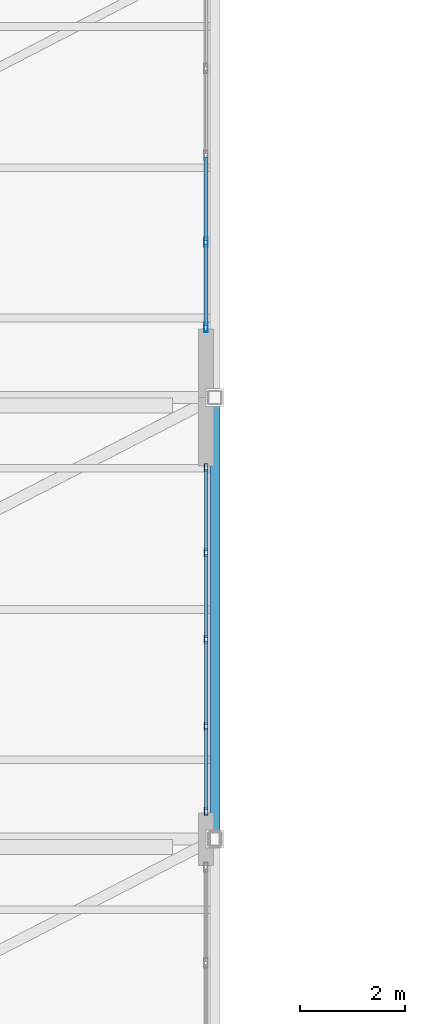
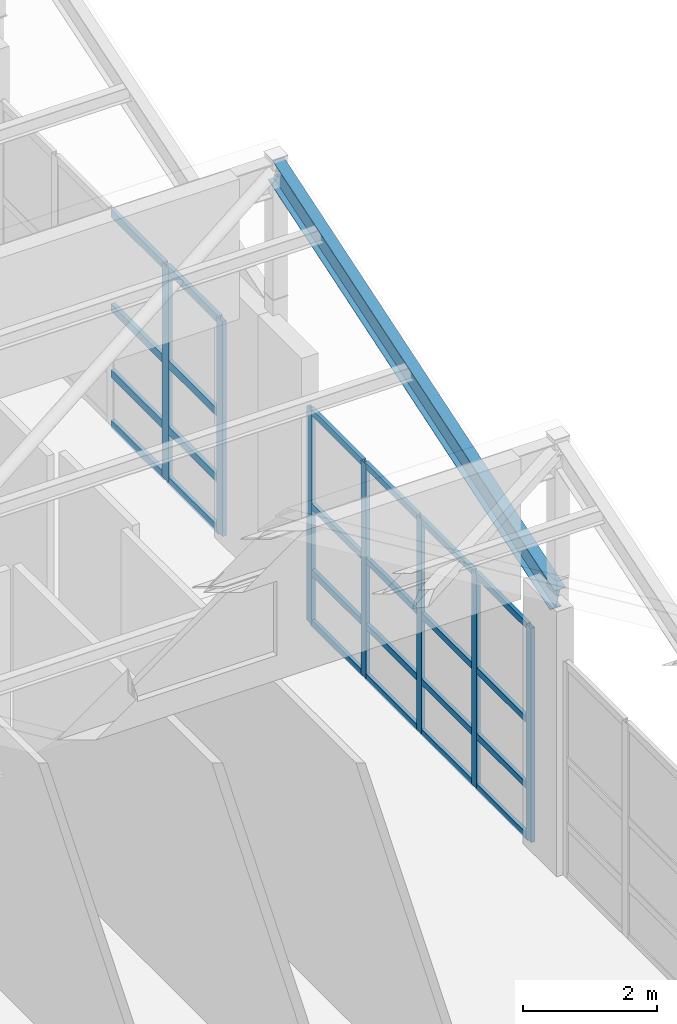
# One storey, part 12 of 34: 31 members, 1 beam, 2 elements without a shape of their own.
"""IFC4 building model written with IfcOpenShell, lengths in metres."""

from ifc_helpers import new_model, si_unit, direction, frame, origin, origin_2d, place, context, subcontext, project, spatial, hollow_rectangle, i_section, extrude, material, layer, layer_set, material_profile, profile_set, type_object, element, aggregate, save


model = new_model("IFC4")

# Units and contexts
model_context = context("Model", 3, precision=1e-05, world=origin(), true_north=direction((0.0, 1.0)))
body_context = subcontext(model_context, "Body", "Model", "MODEL_VIEW")
ifc_project = project(units=[si_unit("LENGTHUNIT", "METRE"), si_unit("AREAUNIT", "SQUARE_METRE"), si_unit("VOLUMEUNIT", "CUBIC_METRE"), si_unit("PLANEANGLEUNIT", "RADIAN"), si_unit("MASSUNIT", "GRAM", prefix="KILO")], contexts=[model_context])

# Site, building, storey
site_placement = place(None, origin())
site = spatial("IfcSite", under=ifc_project, at=site_placement, CompositionType="ELEMENT")
building_placement = place(site_placement, origin())
building = spatial("IfcBuilding", under=site, at=building_placement, Name="Quendrovan Civic Courthouse", CompositionType="ELEMENT")
storey_placement = place(building_placement, frame((0.0, 0.0, 25.5)))
storey = spatial("IfcBuildingStorey", under=building, at=storey_placement, Name="L06", CompositionType="ELEMENT", Elevation=25.5)

# Beam
ifc_material_1 = material(Name="Steel ASTM A992 Grade 50", Category="steel")
ifc_material_profile_1 = material_profile(ifc_material_1, i_section(OverallWidth=0.18994140625, OverallDepth=0.45703125, WebThickness=0.009033203125, FlangeThickness=0.014404296875, at=origin_2d()), Name="W460x74")
ifc_profile_set_1 = profile_set([ifc_material_profile_1], Name="Steel ASTM A992 Grade 50")
beam_type = type_object("IfcBeamType", Name="BM-STL-W460", PredefinedType="BEAM", material=ifc_profile_set_1)
beam_placement = place(storey_placement, frame((16.800048828125, 48.0, 4.651611328125), z_axis=(0.0, 0.951058036, 0.309012317167), x_axis=(-1.0, 0.0, 0.0)))
element("IfcBeam", 1, at=beam_placement, inside=storey, type_object=beam_type, Name="Sawtooth Raking Steel Rafter B4-E", PredefinedType="BEAM", context=body_context, shape_type="SweptSolid", body=[
    extrude(i_section(OverallWidth=0.18994140625, OverallDepth=0.45703125, WebThickness=0.009033203125, FlangeThickness=0.014404296875, at=origin_2d()), origin(), (0.0, 0.0, 1.0), 8.832275390625),
])

# Curtain wall, members
ifc_material_2 = material(Name="Bronze anodised aluminium and low-E glass", Category="aluminium")
ifc_layer = layer(ifc_material_2, 0.179931640625, Name="Bronze anodised aluminium and low-E glass")
ifc_layer_set = layer_set([ifc_layer], Name="Bronze anodised aluminium and low-E glass")
curtain_wall_type = type_object("IfcCurtainWallType", Name="CW-U66x39", PredefinedType="USERDEFINED", material=ifc_layer_set)
curtain_wall_1_placement = place(storey_placement, origin())
curtain_wall_1 = element("IfcCurtainWall", 2, at=curtain_wall_1_placement, inside=storey, type_object=curtain_wall_type, Name="L06 Unitised Hurricane Curtain Wall CW-210", ObjectType="UNITISED CURTAIN WALL", PredefinedType="USERDEFINED")
ifc_material_3 = material(Name="Bronze anodised aluminium", Category="aluminium")
ifc_material_profile_2 = material_profile(ifc_material_3, hollow_rectangle(XDim=0.070068359375, YDim=0.179931640625, WallThickness=0.00390625, at=origin_2d()), Name="CW-MULL-70x180")
ifc_profile_set_2 = profile_set([ifc_material_profile_2], Name="Bronze anodised aluminium")
member_type_1 = type_object("IfcMemberType", Name="CW-MULL-A", PredefinedType="MULLION", material=ifc_profile_set_2)
member_1_placement = place(storey_placement, frame((16.635009765625, 59.353271484375, 0.0), z_axis=(0.0, 0.0, 1.0), x_axis=(1.0, 0.0, 0.0)))
member_1 = element("IfcMember", 3, at=member_1_placement, type_object=member_type_1, Name="CW-210 mullion 4", PredefinedType="MULLION", context=body_context, shape_type="SweptSolid", body=[
    extrude(hollow_rectangle(XDim=0.070068359375, YDim=0.179931640625, WallThickness=0.00390625, at=origin_2d()), origin(), (0.0, 0.0, 1.0), 3.89990234375),
])
member_2_placement = place(storey_placement, frame((16.635009765625, 57.735107421875, 0.0), z_axis=(0.0, 0.0, 1.0), x_axis=(1.0, 0.0, 0.0)))
member_2 = element("IfcMember", 4, at=member_2_placement, type_object=member_type_1, Name="CW-210 mullion 5", PredefinedType="MULLION", context=body_context, shape_type="SweptSolid", body=[
    extrude(hollow_rectangle(XDim=0.070068359375, YDim=0.179931640625, WallThickness=0.00390625, at=origin_2d()), origin(), (0.0, 0.0, 1.0), 3.89990234375),
])

curtain_wall_2_placement = place(storey_placement, origin())
curtain_wall_2 = element("IfcCurtainWall", 5, at=curtain_wall_2_placement, inside=storey, type_object=curtain_wall_type, Name="L06 Unitised Hurricane Curtain Wall CW-211", ObjectType="UNITISED CURTAIN WALL", PredefinedType="USERDEFINED")
ifc_material_profile_3 = material_profile(ifc_material_3, hollow_rectangle(XDim=0.06494140625, YDim=0.14990234375, WallThickness=0.00390625, at=origin_2d()), Name="CW-MULL-65x150")
ifc_profile_set_3 = profile_set([ifc_material_profile_3], Name="Bronze anodised aluminium")
member_type_2 = type_object("IfcMemberType", Name="CW-MULL-B", PredefinedType="MULLION", material=ifc_profile_set_3)
member_3_placement = place(storey_placement, frame((16.635009765625, 55.0673828125, 0.0), z_axis=(0.0, 0.0, 1.0), x_axis=(1.0, 0.0, 0.0)))
member_3 = element("IfcMember", 6, at=member_3_placement, type_object=member_type_2, Name="CW-211 mullion 1", PredefinedType="MULLION", context=body_context, shape_type="SweptSolid", body=[
    extrude(hollow_rectangle(XDim=0.06494140625, YDim=0.14990234375, WallThickness=0.00390625, at=origin_2d()), origin(), (0.0, 0.0, 1.0), 3.89990234375),
])
member_4_placement = place(storey_placement, frame((16.635009765625, 53.449951171875, 0.0), z_axis=(0.0, 0.0, 1.0), x_axis=(1.0, 0.0, 0.0)))
member_4 = element("IfcMember", 7, at=member_4_placement, type_object=member_type_2, Name="CW-211 mullion 2", PredefinedType="MULLION", context=body_context, shape_type="SweptSolid", body=[
    extrude(hollow_rectangle(XDim=0.06494140625, YDim=0.14990234375, WallThickness=0.00390625, at=origin_2d()), origin(), (0.0, 0.0, 1.0), 3.89990234375),
])
member_5_placement = place(storey_placement, frame((16.635009765625, 51.800048828125, 0.0), z_axis=(0.0, 0.0, 1.0), x_axis=(1.0, 0.0, 0.0)))
member_5 = element("IfcMember", 8, at=member_5_placement, type_object=member_type_2, Name="CW-211 mullion 3", PredefinedType="MULLION", context=body_context, shape_type="SweptSolid", body=[
    extrude(hollow_rectangle(XDim=0.06494140625, YDim=0.14990234375, WallThickness=0.00390625, at=origin_2d()), origin(), (0.0, 0.0, 1.0), 3.89990234375),
])
member_6_placement = place(storey_placement, frame((16.635009765625, 50.14990234375, 0.0), z_axis=(0.0, 0.0, 1.0), x_axis=(1.0, 0.0, 0.0)))
member_6 = element("IfcMember", 9, at=member_6_placement, type_object=member_type_2, Name="CW-211 mullion 4", PredefinedType="MULLION", context=body_context, shape_type="SweptSolid", body=[
    extrude(hollow_rectangle(XDim=0.06494140625, YDim=0.14990234375, WallThickness=0.00390625, at=origin_2d()), origin(), (0.0, 0.0, 1.0), 3.89990234375),
])
member_7_placement = place(storey_placement, frame((16.635009765625, 48.532470703125, 0.0), z_axis=(0.0, 0.0, 1.0), x_axis=(1.0, 0.0, 0.0)))
member_7 = element("IfcMember", 10, at=member_7_placement, type_object=member_type_2, Name="CW-211 mullion 5", PredefinedType="MULLION", context=body_context, shape_type="SweptSolid", body=[
    extrude(hollow_rectangle(XDim=0.06494140625, YDim=0.14990234375, WallThickness=0.00390625, at=origin_2d()), origin(), (0.0, 0.0, 1.0), 3.89990234375),
])

# Member
ifc_material_profile_4 = material_profile(ifc_material_3, hollow_rectangle(XDim=0.070068359375, YDim=0.139892578125, WallThickness=0.00390625, at=origin_2d()), Name="CW-TRAN-70x140")
ifc_profile_set_4 = profile_set([ifc_material_profile_4], Name="Bronze anodised aluminium")
member_type_3 = type_object("IfcMemberType", Name="CW-TRAN-A", PredefinedType="USERDEFINED", material=ifc_profile_set_4)
member_8_placement = place(storey_placement, frame((16.635009765625, 60.9716796875, 0.034912109375), z_axis=(0.0, -1.0, 0.0), x_axis=(1.0, 0.0, 0.0)))
member_8 = element("IfcMember", 11, at=member_8_placement, type_object=member_type_3, Name="CW-210 transom 3.1", ObjectType="TRANSOM", PredefinedType="USERDEFINED", context=body_context, shape_type="SweptSolid", body=[
    extrude(hollow_rectangle(XDim=0.070068359375, YDim=0.139892578125, WallThickness=0.00390625, at=origin_2d()), origin(), (0.0, 0.0, 1.0), 1.583251953125),
])

member_9_placement = place(storey_placement, frame((16.635009765625, 60.9716796875, 0.949951171875), z_axis=(0.0, -1.0, 0.0), x_axis=(1.0, 0.0, 0.0)))
member_9 = element("IfcMember", 12, at=member_9_placement, type_object=member_type_3, Name="CW-210 transom 3.2", ObjectType="TRANSOM", PredefinedType="USERDEFINED", context=body_context, shape_type="SweptSolid", body=[
    extrude(hollow_rectangle(XDim=0.070068359375, YDim=0.139892578125, WallThickness=0.00390625, at=origin_2d()), origin(), (0.0, 0.0, 1.0), 1.583251953125),
])

member_10_placement = place(storey_placement, frame((16.635009765625, 60.9716796875, 2.14990234375), z_axis=(0.0, -1.0, 0.0), x_axis=(1.0, 0.0, 0.0)))
member_10 = element("IfcMember", 13, at=member_10_placement, type_object=member_type_3, Name="CW-210 transom 3.3", ObjectType="TRANSOM", PredefinedType="USERDEFINED", context=body_context, shape_type="SweptSolid", body=[
    extrude(hollow_rectangle(XDim=0.070068359375, YDim=0.139892578125, WallThickness=0.00390625, at=origin_2d()), origin(), (0.0, 0.0, 1.0), 1.583251953125),
])

member_11_placement = place(storey_placement, frame((16.635009765625, 60.9716796875, 3.864990234375), z_axis=(0.0, -1.0, 0.0), x_axis=(1.0, 0.0, 0.0)))
member_11 = element("IfcMember", 14, at=member_11_placement, type_object=member_type_3, Name="CW-210 transom 3.4", ObjectType="TRANSOM", PredefinedType="USERDEFINED", context=body_context, shape_type="SweptSolid", body=[
    extrude(hollow_rectangle(XDim=0.070068359375, YDim=0.139892578125, WallThickness=0.00390625, at=origin_2d()), origin(), (0.0, 0.0, 1.0), 1.583251953125),
])

member_12_placement = place(storey_placement, frame((16.635009765625, 59.318359375, 0.034912109375), z_axis=(0.0, -1.0, 0.0), x_axis=(1.0, 0.0, 0.0)))
member_12 = element("IfcMember", 15, at=member_12_placement, type_object=member_type_3, Name="CW-210 transom 4.1", ObjectType="TRANSOM", PredefinedType="USERDEFINED", context=body_context, shape_type="SweptSolid", body=[
    extrude(hollow_rectangle(XDim=0.070068359375, YDim=0.139892578125, WallThickness=0.00390625, at=origin_2d()), origin(), (0.0, 0.0, 1.0), 1.54833984375),
])

member_13_placement = place(storey_placement, frame((16.635009765625, 59.318359375, 0.949951171875), z_axis=(0.0, -1.0, 0.0), x_axis=(1.0, 0.0, 0.0)))
member_13 = element("IfcMember", 16, at=member_13_placement, type_object=member_type_3, Name="CW-210 transom 4.2", ObjectType="TRANSOM", PredefinedType="USERDEFINED", context=body_context, shape_type="SweptSolid", body=[
    extrude(hollow_rectangle(XDim=0.070068359375, YDim=0.139892578125, WallThickness=0.00390625, at=origin_2d()), origin(), (0.0, 0.0, 1.0), 1.54833984375),
])

member_14_placement = place(storey_placement, frame((16.635009765625, 59.318359375, 2.14990234375), z_axis=(0.0, -1.0, 0.0), x_axis=(1.0, 0.0, 0.0)))
member_14 = element("IfcMember", 17, at=member_14_placement, type_object=member_type_3, Name="CW-210 transom 4.3", ObjectType="TRANSOM", PredefinedType="USERDEFINED", context=body_context, shape_type="SweptSolid", body=[
    extrude(hollow_rectangle(XDim=0.070068359375, YDim=0.139892578125, WallThickness=0.00390625, at=origin_2d()), origin(), (0.0, 0.0, 1.0), 1.54833984375),
])

member_15_placement = place(storey_placement, frame((16.635009765625, 59.318359375, 3.864990234375), z_axis=(0.0, -1.0, 0.0), x_axis=(1.0, 0.0, 0.0)))
member_15 = element("IfcMember", 18, at=member_15_placement, type_object=member_type_3, Name="CW-210 transom 4.4", ObjectType="TRANSOM", PredefinedType="USERDEFINED", context=body_context, shape_type="SweptSolid", body=[
    extrude(hollow_rectangle(XDim=0.070068359375, YDim=0.139892578125, WallThickness=0.00390625, at=origin_2d()), origin(), (0.0, 0.0, 1.0), 1.54833984375),
])

aggregate(curtain_wall_1, [member_1, member_2, member_8, member_9, member_10, member_11, member_12, member_13, member_14, member_15])

ifc_material_profile_5 = material_profile(ifc_material_3, hollow_rectangle(XDim=0.06494140625, YDim=0.114990234375, WallThickness=0.00390625, at=origin_2d()), Name="CW-TRAN-65x115")
ifc_profile_set_5 = profile_set([ifc_material_profile_5], Name="Bronze anodised aluminium")
member_type_4 = type_object("IfcMemberType", Name="CW-TRAN-B", PredefinedType="USERDEFINED", material=ifc_profile_set_5)
member_16_placement = place(storey_placement, frame((16.635009765625, 55.034912109375, 0.032470703125), z_axis=(0.0, -1.0, 0.0), x_axis=(1.0, 0.0, 0.0)))
member_16 = element("IfcMember", 19, at=member_16_placement, type_object=member_type_4, Name="CW-211 transom 1.1", ObjectType="TRANSOM", PredefinedType="USERDEFINED", context=body_context, shape_type="SweptSolid", body=[
    extrude(hollow_rectangle(XDim=0.06494140625, YDim=0.114990234375, WallThickness=0.00390625, at=origin_2d()), origin(), (0.0, 0.0, 1.0), 1.552490234375),
])

member_17_placement = place(storey_placement, frame((16.635009765625, 55.034912109375, 0.949951171875), z_axis=(0.0, -1.0, 0.0), x_axis=(1.0, 0.0, 0.0)))
member_17 = element("IfcMember", 20, at=member_17_placement, type_object=member_type_4, Name="CW-211 transom 1.2", ObjectType="TRANSOM", PredefinedType="USERDEFINED", context=body_context, shape_type="SweptSolid", body=[
    extrude(hollow_rectangle(XDim=0.06494140625, YDim=0.114990234375, WallThickness=0.00390625, at=origin_2d()), origin(), (0.0, 0.0, 1.0), 1.552490234375),
])

member_18_placement = place(storey_placement, frame((16.635009765625, 55.034912109375, 2.14990234375), z_axis=(0.0, -1.0, 0.0), x_axis=(1.0, 0.0, 0.0)))
member_18 = element("IfcMember", 21, at=member_18_placement, type_object=member_type_4, Name="CW-211 transom 1.3", ObjectType="TRANSOM", PredefinedType="USERDEFINED", context=body_context, shape_type="SweptSolid", body=[
    extrude(hollow_rectangle(XDim=0.06494140625, YDim=0.114990234375, WallThickness=0.00390625, at=origin_2d()), origin(), (0.0, 0.0, 1.0), 1.552490234375),
])

member_19_placement = place(storey_placement, frame((16.635009765625, 55.034912109375, 3.867431640625), z_axis=(0.0, -1.0, 0.0), x_axis=(1.0, 0.0, 0.0)))
member_19 = element("IfcMember", 22, at=member_19_placement, type_object=member_type_4, Name="CW-211 transom 1.4", ObjectType="TRANSOM", PredefinedType="USERDEFINED", context=body_context, shape_type="SweptSolid", body=[
    extrude(hollow_rectangle(XDim=0.06494140625, YDim=0.114990234375, WallThickness=0.00390625, at=origin_2d()), origin(), (0.0, 0.0, 1.0), 1.552490234375),
])

member_20_placement = place(storey_placement, frame((16.635009765625, 53.41748046875, 0.032470703125), z_axis=(0.0, -1.0, 0.0), x_axis=(1.0, 0.0, 0.0)))
member_20 = element("IfcMember", 23, at=member_20_placement, type_object=member_type_4, Name="CW-211 transom 2.1", ObjectType="TRANSOM", PredefinedType="USERDEFINED", context=body_context, shape_type="SweptSolid", body=[
    extrude(hollow_rectangle(XDim=0.06494140625, YDim=0.114990234375, WallThickness=0.00390625, at=origin_2d()), origin(), (0.0, 0.0, 1.0), 1.5849609375),
])

member_21_placement = place(storey_placement, frame((16.635009765625, 53.41748046875, 0.949951171875), z_axis=(0.0, -1.0, 0.0), x_axis=(1.0, 0.0, 0.0)))
member_21 = element("IfcMember", 24, at=member_21_placement, type_object=member_type_4, Name="CW-211 transom 2.2", ObjectType="TRANSOM", PredefinedType="USERDEFINED", context=body_context, shape_type="SweptSolid", body=[
    extrude(hollow_rectangle(XDim=0.06494140625, YDim=0.114990234375, WallThickness=0.00390625, at=origin_2d()), origin(), (0.0, 0.0, 1.0), 1.5849609375),
])

member_22_placement = place(storey_placement, frame((16.635009765625, 53.41748046875, 2.14990234375), z_axis=(0.0, -1.0, 0.0), x_axis=(1.0, 0.0, 0.0)))
member_22 = element("IfcMember", 25, at=member_22_placement, type_object=member_type_4, Name="CW-211 transom 2.3", ObjectType="TRANSOM", PredefinedType="USERDEFINED", context=body_context, shape_type="SweptSolid", body=[
    extrude(hollow_rectangle(XDim=0.06494140625, YDim=0.114990234375, WallThickness=0.00390625, at=origin_2d()), origin(), (0.0, 0.0, 1.0), 1.5849609375),
])

member_23_placement = place(storey_placement, frame((16.635009765625, 53.41748046875, 3.867431640625), z_axis=(0.0, -1.0, 0.0), x_axis=(1.0, 0.0, 0.0)))
member_23 = element("IfcMember", 26, at=member_23_placement, type_object=member_type_4, Name="CW-211 transom 2.4", ObjectType="TRANSOM", PredefinedType="USERDEFINED", context=body_context, shape_type="SweptSolid", body=[
    extrude(hollow_rectangle(XDim=0.06494140625, YDim=0.114990234375, WallThickness=0.00390625, at=origin_2d()), origin(), (0.0, 0.0, 1.0), 1.5849609375),
])

member_24_placement = place(storey_placement, frame((16.635009765625, 51.767578125, 0.032470703125), z_axis=(0.0, -1.0, 0.0), x_axis=(1.0, 0.0, 0.0)))
member_24 = element("IfcMember", 27, at=member_24_placement, type_object=member_type_4, Name="CW-211 transom 3.1", ObjectType="TRANSOM", PredefinedType="USERDEFINED", context=body_context, shape_type="SweptSolid", body=[
    extrude(hollow_rectangle(XDim=0.06494140625, YDim=0.114990234375, WallThickness=0.00390625, at=origin_2d()), origin(), (0.0, 0.0, 1.0), 1.5849609375),
])

member_25_placement = place(storey_placement, frame((16.635009765625, 51.767578125, 0.949951171875), z_axis=(0.0, -1.0, 0.0), x_axis=(1.0, 0.0, 0.0)))
member_25 = element("IfcMember", 28, at=member_25_placement, type_object=member_type_4, Name="CW-211 transom 3.2", ObjectType="TRANSOM", PredefinedType="USERDEFINED", context=body_context, shape_type="SweptSolid", body=[
    extrude(hollow_rectangle(XDim=0.06494140625, YDim=0.114990234375, WallThickness=0.00390625, at=origin_2d()), origin(), (0.0, 0.0, 1.0), 1.5849609375),
])

member_26_placement = place(storey_placement, frame((16.635009765625, 51.767578125, 2.14990234375), z_axis=(0.0, -1.0, 0.0), x_axis=(1.0, 0.0, 0.0)))
member_26 = element("IfcMember", 29, at=member_26_placement, type_object=member_type_4, Name="CW-211 transom 3.3", ObjectType="TRANSOM", PredefinedType="USERDEFINED", context=body_context, shape_type="SweptSolid", body=[
    extrude(hollow_rectangle(XDim=0.06494140625, YDim=0.114990234375, WallThickness=0.00390625, at=origin_2d()), origin(), (0.0, 0.0, 1.0), 1.5849609375),
])

member_27_placement = place(storey_placement, frame((16.635009765625, 51.767578125, 3.867431640625), z_axis=(0.0, -1.0, 0.0), x_axis=(1.0, 0.0, 0.0)))
member_27 = element("IfcMember", 30, at=member_27_placement, type_object=member_type_4, Name="CW-211 transom 3.4", ObjectType="TRANSOM", PredefinedType="USERDEFINED", context=body_context, shape_type="SweptSolid", body=[
    extrude(hollow_rectangle(XDim=0.06494140625, YDim=0.114990234375, WallThickness=0.00390625, at=origin_2d()), origin(), (0.0, 0.0, 1.0), 1.5849609375),
])

member_28_placement = place(storey_placement, frame((16.635009765625, 50.117431640625, 0.032470703125), z_axis=(0.0, -1.0, 0.0), x_axis=(1.0, 0.0, 0.0)))
member_28 = element("IfcMember", 31, at=member_28_placement, type_object=member_type_4, Name="CW-211 transom 4.1", ObjectType="TRANSOM", PredefinedType="USERDEFINED", context=body_context, shape_type="SweptSolid", body=[
    extrude(hollow_rectangle(XDim=0.06494140625, YDim=0.114990234375, WallThickness=0.00390625, at=origin_2d()), origin(), (0.0, 0.0, 1.0), 1.552490234375),
])

member_29_placement = place(storey_placement, frame((16.635009765625, 50.117431640625, 0.949951171875), z_axis=(0.0, -1.0, 0.0), x_axis=(1.0, 0.0, 0.0)))
member_29 = element("IfcMember", 32, at=member_29_placement, type_object=member_type_4, Name="CW-211 transom 4.2", ObjectType="TRANSOM", PredefinedType="USERDEFINED", context=body_context, shape_type="SweptSolid", body=[
    extrude(hollow_rectangle(XDim=0.06494140625, YDim=0.114990234375, WallThickness=0.00390625, at=origin_2d()), origin(), (0.0, 0.0, 1.0), 1.552490234375),
])

member_30_placement = place(storey_placement, frame((16.635009765625, 50.117431640625, 2.14990234375), z_axis=(0.0, -1.0, 0.0), x_axis=(1.0, 0.0, 0.0)))
member_30 = element("IfcMember", 33, at=member_30_placement, type_object=member_type_4, Name="CW-211 transom 4.3", ObjectType="TRANSOM", PredefinedType="USERDEFINED", context=body_context, shape_type="SweptSolid", body=[
    extrude(hollow_rectangle(XDim=0.06494140625, YDim=0.114990234375, WallThickness=0.00390625, at=origin_2d()), origin(), (0.0, 0.0, 1.0), 1.552490234375),
])

member_31_placement = place(storey_placement, frame((16.635009765625, 50.117431640625, 3.867431640625), z_axis=(0.0, -1.0, 0.0), x_axis=(1.0, 0.0, 0.0)))
member_31 = element("IfcMember", 34, at=member_31_placement, type_object=member_type_4, Name="CW-211 transom 4.4", ObjectType="TRANSOM", PredefinedType="USERDEFINED", context=body_context, shape_type="SweptSolid", body=[
    extrude(hollow_rectangle(XDim=0.06494140625, YDim=0.114990234375, WallThickness=0.00390625, at=origin_2d()), origin(), (0.0, 0.0, 1.0), 1.552490234375),
])

aggregate(curtain_wall_2, [member_3, member_4, member_5, member_6, member_7, member_16, member_17, member_18, member_19, member_20, member_21, member_22, member_23, member_24, member_25, member_26, member_27, member_28, member_29, member_30, member_31])

save(model, "model.ifc")
